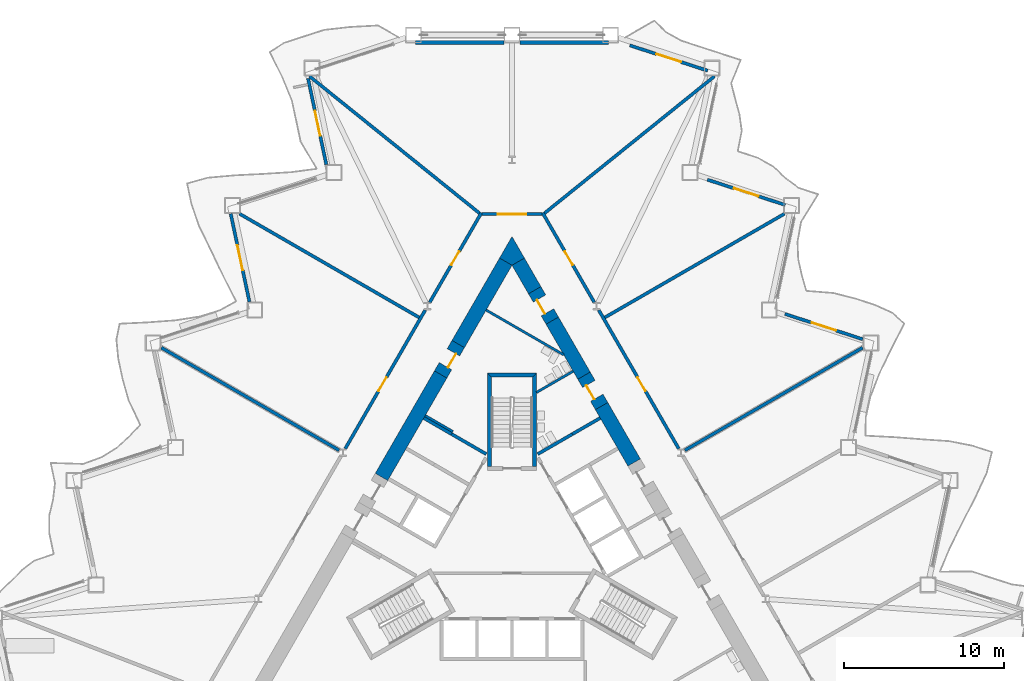
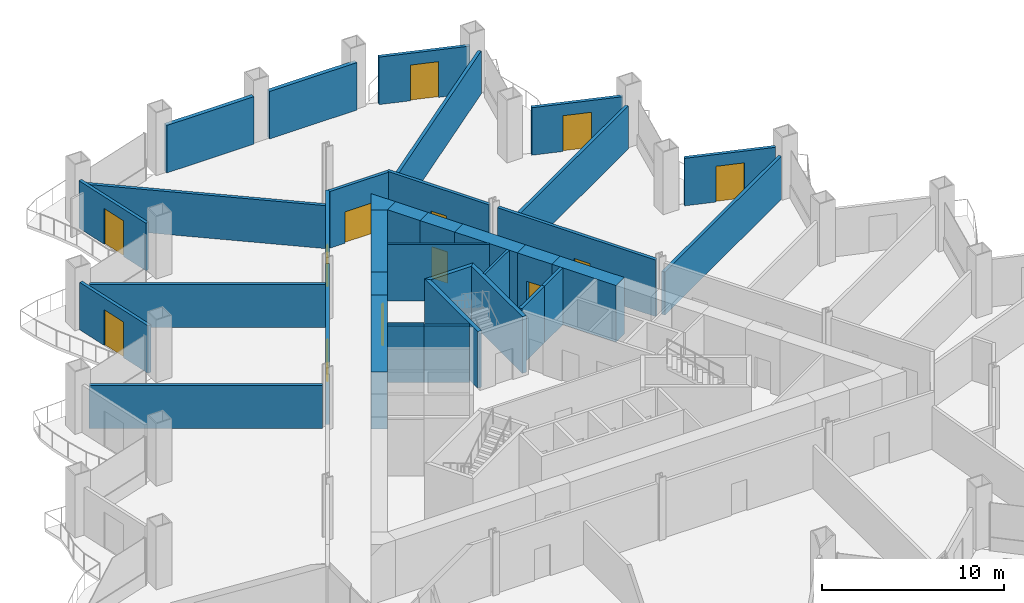
# One storey, part 12 of 21: 37 walls, 13 doors, 13 openings.
"""IFC4 building model written with IfcOpenShell, lengths in metres."""

from ifc_helpers import new_model, si_unit, direction, frame, frame_2d, origin, place, context, subcontext, project, spatial, polyline, rectangle, outline, extrude, material, layer, layer_set, type_object, element, fill, save


model = new_model("IFC4")

# Units and contexts
model_context = context("Model", 3, precision=1e-05, world=origin(), true_north=direction((0.0, 1.0)))
body_context = subcontext(model_context, "Body", "Model", "MODEL_VIEW")
ifc_project = project(units=[si_unit("LENGTHUNIT", "METRE"), si_unit("AREAUNIT", "SQUARE_METRE"), si_unit("VOLUMEUNIT", "CUBIC_METRE"), si_unit("PLANEANGLEUNIT", "RADIAN"), si_unit("MASSUNIT", "GRAM", prefix="KILO")], contexts=[model_context])

# Site, building, storey
site_placement = place(None, origin())
site = spatial("IfcSite", under=ifc_project, at=site_placement, CompositionType="ELEMENT")
building_placement = place(site_placement, origin())
building = spatial("IfcBuilding", under=site, at=building_placement, Name="Cormorant Prow Tower", CompositionType="ELEMENT")
storey_placement = place(building_placement, frame((0.0, 0.0, 51.0)))
storey = spatial("IfcBuildingStorey", under=building, at=storey_placement, Name="L10", CompositionType="ELEMENT", Elevation=51.0)

# Walls
ifc_material_1 = material(Name="Gypsum board partition")
ifc_layer_1 = layer(ifc_material_1, 0.14990234375)
ifc_layer_set_1 = layer_set([ifc_layer_1], Name="Gypsum board partition")
wall_type_1 = type_object("IfcWallType", Name="Core partition 150", PredefinedType="PARTITIONING", material=ifc_layer_set_1)
wall_1_placement = place(storey_placement, frame((-3.693359375, 7.4150390625, 0.0), z_axis=(0.0, 0.0, 1.0), x_axis=(-0.866035824272, 0.499981950752, 0.0)))
element("IfcWall", 1, at=wall_1_placement, inside=storey, type_object=wall_type_1, Name="Service room partition", PredefinedType="PARTITIONING", context=body_context, shape_type="SweptSolid", body=[
    extrude(rectangle(XDim=2.0087890625, YDim=0.14990234375, at=frame_2d((1.00439453125, 0.0))), origin(), (0.0, 0.0, 1.0), 3.800048828125),
])
wall_2_placement = place(storey_placement, frame((3.829345703125, 11.197265625, 0.0), z_axis=(0.0, 0.0, 1.0), x_axis=(-0.866016748302, -0.500014991436, 0.0)))
element("IfcWall", 2, at=wall_2_placement, inside=storey, type_object=wall_type_1, Name="Service room partition", PredefinedType="PARTITIONING", context=body_context, shape_type="SweptSolid", body=[
    extrude(rectangle(XDim=2.64892578125, YDim=0.14990234375, at=frame_2d((1.324462890625, 0.0))), origin(), (0.0, 0.0, 1.0), 3.800048828125),
])
wall_3_placement = place(storey_placement, frame((-1.61865234375, 15.0263671875, 0.0), z_axis=(0.0, 0.0, 1.0), x_axis=(0.866015917575, -0.500016430238, 0.0)))
element("IfcWall", 3, at=wall_3_placement, inside=storey, type_object=wall_type_1, Name="Service room partition", PredefinedType="PARTITIONING", context=body_context, shape_type="SweptSolid", body=[
    extrude(rectangle(XDim=5.607177734375, YDim=0.14990234375, at=frame_2d((2.8037109375, 0.0))), origin(), (0.0, 0.0, 1.0), 3.800048828125),
])
ifc_material_2 = material(Name="Concrete 8000 psi", Category="concrete")
ifc_layer_2 = layer(ifc_material_2, 0.89990234375)
ifc_layer_set_2 = layer_set([ifc_layer_2], Name="Concrete 8000 psi")
wall_type_2 = type_object("IfcWallType", Name="Core shear wall 900", PredefinedType="SHEAR", material=ifc_layer_set_2)
wall_4_placement = place(storey_placement, frame((7.646484375, 5.485595703125, 0.0), z_axis=(0.0, 0.0, 1.0), x_axis=(-0.499978218965, 0.866037978706, 0.0)))
element("IfcWall", 4, at=wall_4_placement, inside=storey, type_object=wall_type_2, Name="Core wall", PredefinedType="SHEAR", context=body_context, shape_type="SweptSolid", body=[
    extrude(rectangle(XDim=4.076416015625, YDim=0.89990234375, at=frame_2d((2.0380859375, 0.0))), origin(), (0.0, 0.0, 1.0), 3.800048828125),
])
wall_5_placement = place(storey_placement, frame((4.508544921875, 10.9208984375, 0.0), z_axis=(0.0, 0.0, 1.0), x_axis=(-0.49999004381, 0.866031151917, 0.0)))
element("IfcWall", 5, at=wall_5_placement, inside=storey, type_object=wall_type_2, Name="Core wall", PredefinedType="SHEAR", context=body_context, shape_type="SweptSolid", body=[
    extrude(rectangle(XDim=3.97509765625, YDim=0.89990234375, at=frame_2d((1.987548828125, 0.0))), origin(), (0.0, 0.0, 1.0), 3.800048828125),
])
wall_6_placement = place(storey_placement, frame((1.4208984375, 16.268798828125, 0.0), z_axis=(0.0, 0.0, 1.0), x_axis=(-0.500009360108, 0.866019999656, 0.0)))
element("IfcWall", 6, at=wall_6_placement, inside=storey, type_object=wall_type_2, Name="Core wall", PredefinedType="SHEAR", context=body_context, shape_type="SweptSolid", body=[
    extrude(rectangle(XDim=2.0625, YDim=0.89990234375, at=frame_2d((1.03125, 0.0))), origin(), (0.0, 0.0, 1.0), 3.800048828125),
])
wall_7_placement = place(storey_placement, frame((-4.465576171875, 10.995361328125, 0.0), z_axis=(0.0, 0.0, 1.0), x_axis=(-0.500012427149, -0.866018228848, 0.0)))
element("IfcWall", 7, at=wall_7_placement, inside=storey, type_object=wall_type_2, Name="Core wall", PredefinedType="SHEAR", context=body_context, shape_type="SweptSolid", body=[
    extrude(rectangle(XDim=7.409423828125, YDim=0.89990234375, at=frame_2d((3.70458984375, 0.0))), origin(), (0.0, 0.0, 1.0), 3.800048828125),
])
wall_8_placement = place(storey_placement, frame((-0.3896484375, 18.054931640625, 0.0), z_axis=(0.0, 0.0, 1.0), x_axis=(-0.499981657175, -0.86603599376, 0.0)))
element("IfcWall", 8, at=wall_8_placement, inside=storey, type_object=wall_type_2, Name="Core wall", PredefinedType="SHEAR", context=body_context, shape_type="SweptSolid", body=[
    extrude(rectangle(XDim=5.951904296875, YDim=0.89990234375, at=frame_2d((2.97607421875, 0.0))), origin(), (0.0, 0.0, 1.0), 3.800048828125),
])
wall_9_placement = place(storey_placement, origin())
element("IfcWall", 9, at=wall_9_placement, inside=storey, type_object=wall_type_2, Name="Core wall corner", PredefinedType="SHEAR", context=body_context, shape_type="SweptSolid", body=[
    extrude(outline(polyline([(-0.779296875, 18.27978515625), (0.0, 19.6298828125), (0.779296875, 18.27978515625), (0.0, 17.829833984375), (-0.779296875, 18.27978515625)])), origin(), (0.0, 0.0, 1.0), 3.800048828125),
])

# Wall, opening, door
wall_10_placement = place(storey_placement, frame((5.6083984375, 9.015869140625, 0.0), z_axis=(0.0, 0.0, 1.0), x_axis=(-0.499994660107, 0.866028486751, 0.0)))
wall_10 = element("IfcWall", 10, at=wall_10_placement, inside=storey, type_object=wall_type_2, Name="Core wall door panel", PredefinedType="SHEAR", context=body_context, shape_type="SweptSolid", body=[
    extrude(rectangle(XDim=2.19970703125, YDim=0.89990234375, at=frame_2d((1.099853515625, 0.0))), origin(), (0.0, 0.0, 1.0), 3.800048828125),
])
opening_1_placement = place(wall_10_placement, frame((0.60009765625, 0.0, 0.0)))
opening_1 = element("IfcOpeningElement", 11, at=opening_1_placement, cuts=wall_10, Name="Opening L10-C21", PredefinedType="OPENING", context=body_context, shape_type="SweptSolid", body=[
    extrude(rectangle(XDim=1.0, YDim=2.10009765625, at=frame_2d((0.5, 1.050048828125))), frame((0.0, 0.4599609375, 0.0), z_axis=(0.0, -1.0, 0.0), x_axis=(1.0, 0.0, 0.0)), (0.0, 0.0, 1.0), 0.919921875),
])
ifc_material_3 = material(Name="Painted steel", Category="steel")
door_type_1 = type_object("IfcDoorType", Name="Service door 1000x2100", OperationType="NOTDEFINED", PredefinedType="DOOR", material=ifc_material_3)
door_1_placement = place(opening_1_placement, origin())
door_1 = element("IfcDoor", 12, at=door_1_placement, inside=storey, type_object=door_type_1, Name="Core door, Toilets (men) L10", OperationType="SINGLE_SWING_RIGHT", OverallHeight=2.10009765625, OverallWidth=1.0, PredefinedType="DOOR", context=body_context, shape_type="SweptSolid", body=[
    extrude(rectangle(XDim=1.0, YDim=2.10009765625, at=frame_2d((0.5, 1.050048828125))), frame((0.0, 0.205078125, 0.0), z_axis=(0.0, -1.0, 0.0), x_axis=(1.0, 0.0, 0.0)), (0.0, 0.0, 1.0), 0.050048828125),
])
fill(opening_1, door_1)

wall_11_placement = place(storey_placement, frame((-3.365478515625, 12.900390625, 0.0), z_axis=(0.0, 0.0, 1.0), x_axis=(-0.500077893725, -0.86598042715, 0.0)))
wall_11 = element("IfcWall", 13, at=wall_11_placement, inside=storey, type_object=wall_type_2, Name="Core wall door panel", PredefinedType="SHEAR", context=body_context, shape_type="SweptSolid", body=[
    extrude(rectangle(XDim=2.199951171875, YDim=0.89990234375, at=frame_2d((1.10009765625, 0.0))), origin(), (0.0, 0.0, 1.0), 3.800048828125),
])
opening_2_placement = place(wall_11_placement, frame((0.60009765625, 0.0, 0.0)))
opening_2 = element("IfcOpeningElement", 14, at=opening_2_placement, cuts=wall_11, Name="Opening L10-C22", PredefinedType="OPENING", context=body_context, shape_type="SweptSolid", body=[
    extrude(rectangle(XDim=1.0, YDim=2.10009765625, at=frame_2d((0.5, 1.050048828125))), frame((0.0, 0.4599609375, 0.0), z_axis=(0.0, -1.0, 0.0), x_axis=(1.0, 0.0, 0.0)), (0.0, 0.0, 1.0), 0.919921875),
])
door_2_placement = place(opening_2_placement, origin())
door_2 = element("IfcDoor", 15, at=door_2_placement, inside=storey, type_object=door_type_1, Name="Core door, Toilets (women) L10", OperationType="SINGLE_SWING_RIGHT", OverallHeight=2.10009765625, OverallWidth=1.0, PredefinedType="DOOR", context=body_context, shape_type="SweptSolid", body=[
    extrude(rectangle(XDim=1.0, YDim=2.10009765625, at=frame_2d((0.5, 1.050048828125))), frame((0.0, 0.205078125, 0.0), z_axis=(0.0, -1.0, 0.0), x_axis=(1.0, 0.0, 0.0)), (0.0, 0.0, 1.0), 0.050048828125),
])
fill(opening_2, door_2)

wall_12_placement = place(storey_placement, frame((2.52099609375, 14.363525390625, 0.0), z_axis=(0.0, 0.0, 1.0), x_axis=(-0.50002983664, 0.866008176907, 0.0)))
wall_12 = element("IfcWall", 16, at=wall_12_placement, inside=storey, type_object=wall_type_2, Name="Core wall door panel", PredefinedType="SHEAR", context=body_context, shape_type="SweptSolid", body=[
    extrude(rectangle(XDim=2.199951171875, YDim=0.89990234375, at=frame_2d((1.10009765625, 0.0))), origin(), (0.0, 0.0, 1.0), 3.800048828125),
])
opening_3_placement = place(wall_12_placement, frame((0.60009765625, 0.0, 0.0)))
opening_3 = element("IfcOpeningElement", 17, at=opening_3_placement, cuts=wall_12, Name="Opening L10-C23", PredefinedType="OPENING", context=body_context, shape_type="SweptSolid", body=[
    extrude(rectangle(XDim=1.0, YDim=2.10009765625, at=frame_2d((0.5, 1.050048828125))), frame((0.0, 0.4599609375, 0.0), z_axis=(0.0, -1.0, 0.0), x_axis=(1.0, 0.0, 0.0)), (0.0, 0.0, 1.0), 0.919921875),
])
door_3_placement = place(opening_3_placement, origin())
door_3 = element("IfcDoor", 18, at=door_3_placement, inside=storey, type_object=door_type_1, Name="Core door, Telecom room", OperationType="SINGLE_SWING_RIGHT", OverallHeight=2.10009765625, OverallWidth=1.0, PredefinedType="DOOR", context=body_context, shape_type="SweptSolid", body=[
    extrude(rectangle(XDim=1.0, YDim=2.10009765625, at=frame_2d((0.5, 1.050048828125))), frame((0.0, 0.205078125, 0.0), z_axis=(0.0, -1.0, 0.0), x_axis=(1.0, 0.0, 0.0)), (0.0, 0.0, 1.0), 0.050048828125),
])
fill(opening_3, door_3)

ifc_material_4 = material(Name="Gypsum board corridor wall")
ifc_layer_3 = layer(ifc_material_4, 0.199951171875)
ifc_layer_set_3 = layer_set([ifc_layer_3], Name="Gypsum board corridor wall")
wall_type_3 = type_object("IfcWallType", Name="Corridor wall 200", PredefinedType="PARTITIONING", material=ifc_layer_set_3)
wall_13_placement = place(storey_placement, frame((-10.438720703125, 6.349853515625, 0.0), z_axis=(0.0, 0.0, 1.0), x_axis=(0.50001002959, 0.86601961312, 0.0)))
wall_13 = element("IfcWall", 19, at=wall_13_placement, inside=storey, type_object=wall_type_3, Name="Corridor wall", PredefinedType="PARTITIONING", context=body_context, shape_type="SweptSolid", body=[
    extrude(rectangle(XDim=10.018798828125, YDim=0.199951171875, at=frame_2d((5.00927734375, 0.0))), origin(), (0.0, 0.0, 1.0), 3.800048828125),
])
opening_4_placement = place(wall_13_placement, frame((4.15869140625, 0.0, 0.0)))
opening_4 = element("IfcOpeningElement", 20, at=opening_4_placement, cuts=wall_13, Name="Opening L10-F15", PredefinedType="OPENING", context=body_context, shape_type="SweptSolid", body=[
    extrude(rectangle(XDim=1.0, YDim=2.10009765625, at=frame_2d((0.5, 1.050048828125))), frame((0.0, 0.10986328125, 0.0), z_axis=(0.0, -1.0, 0.0), x_axis=(1.0, 0.0, 0.0)), (0.0, 0.0, 1.0), 0.219970703125),
])
ifc_material_5 = material(Name="Timber door leaf", Category="wood")
door_type_2 = type_object("IfcDoorType", Name="Office door 1000x2100", OperationType="NOTDEFINED", PredefinedType="DOOR", material=ifc_material_5)
door_4_placement = place(opening_4_placement, origin())
door_4 = element("IfcDoor", 21, at=door_4_placement, inside=storey, type_object=door_type_2, Name="Tenant suite door", OperationType="SINGLE_SWING_LEFT", OverallHeight=2.10009765625, OverallWidth=1.0, PredefinedType="DOOR", context=body_context, shape_type="SweptSolid", body=[
    extrude(rectangle(XDim=1.0, YDim=2.10009765625, at=frame_2d((0.5, 1.050048828125))), frame((0.0, 0.02490234375, 0.0), z_axis=(0.0, -1.0, 0.0), x_axis=(1.0, 0.0, 0.0)), (0.0, 0.0, 1.0), 0.050048828125),
])
fill(opening_4, door_4)

wall_14_placement = place(storey_placement, frame((5.42919921875, 15.0263671875, 0.0), z_axis=(0.0, 0.0, 1.0), x_axis=(0.50001002959, -0.86601961312, 0.0)))
wall_14 = element("IfcWall", 22, at=wall_14_placement, inside=storey, type_object=wall_type_3, Name="Corridor wall", PredefinedType="PARTITIONING", context=body_context, shape_type="SweptSolid", body=[
    extrude(rectangle(XDim=10.018798828125, YDim=0.199951171875, at=frame_2d((5.00927734375, 0.0))), origin(), (0.0, 0.0, 1.0), 3.800048828125),
])
opening_5_placement = place(wall_14_placement, frame((4.860107421875, 0.0, 0.0)))
opening_5 = element("IfcOpeningElement", 23, at=opening_5_placement, cuts=wall_14, Name="Opening L10-F11", PredefinedType="OPENING", context=body_context, shape_type="SweptSolid", body=[
    extrude(rectangle(XDim=1.0, YDim=2.10009765625, at=frame_2d((0.5, 1.050048828125))), frame((0.0, 0.10986328125, 0.0), z_axis=(0.0, -1.0, 0.0), x_axis=(1.0, 0.0, 0.0)), (0.0, 0.0, 1.0), 0.219970703125),
])
door_5_placement = place(opening_5_placement, origin())
door_5 = element("IfcDoor", 24, at=door_5_placement, inside=storey, type_object=door_type_2, Name="Co-working room door", OperationType="SINGLE_SWING_RIGHT", OverallHeight=2.10009765625, OverallWidth=1.0, PredefinedType="DOOR", context=body_context, shape_type="SweptSolid", body=[
    extrude(rectangle(XDim=1.0, YDim=2.10009765625, at=frame_2d((0.5, 1.050048828125))), frame((0.0, 0.02490234375, 0.0), z_axis=(0.0, -1.0, 0.0), x_axis=(1.0, 0.0, 0.0)), (0.0, 0.0, 1.0), 0.050048828125),
])
fill(opening_5, door_5)

wall_15_placement = place(storey_placement, frame((1.9130859375, 21.116455078125, 0.0), z_axis=(0.0, 0.0, 1.0), x_axis=(0.500001069878, -0.866024786089, 0.0)))
wall_15 = element("IfcWall", 25, at=wall_15_placement, inside=storey, type_object=wall_type_3, Name="Corridor wall", PredefinedType="PARTITIONING", context=body_context, shape_type="SweptSolid", body=[
    extrude(rectangle(XDim=6.47265625, YDim=0.199951171875, at=frame_2d((3.236328125, 0.0))), origin(), (0.0, 0.0, 1.0), 3.800048828125),
])
opening_6_placement = place(wall_15_placement, frame((2.787109375, 0.0, 0.0)))
opening_6 = element("IfcOpeningElement", 26, at=opening_6_placement, cuts=wall_15, Name="Opening L10-F12", PredefinedType="OPENING", context=body_context, shape_type="SweptSolid", body=[
    extrude(rectangle(XDim=1.0, YDim=2.10009765625, at=frame_2d((0.5, 1.050048828125))), frame((0.0, 0.10986328125, 0.0), z_axis=(0.0, -1.0, 0.0), x_axis=(1.0, 0.0, 0.0)), (0.0, 0.0, 1.0), 0.219970703125),
])
door_6_placement = place(opening_6_placement, origin())
door_6 = element("IfcDoor", 27, at=door_6_placement, inside=storey, type_object=door_type_2, Name="Tenant suite door", OperationType="SINGLE_SWING_RIGHT", OverallHeight=2.10009765625, OverallWidth=1.0, PredefinedType="DOOR", context=body_context, shape_type="SweptSolid", body=[
    extrude(rectangle(XDim=1.0, YDim=2.10009765625, at=frame_2d((0.5, 1.050048828125))), frame((0.0, 0.02490234375, 0.0), z_axis=(0.0, -1.0, 0.0), x_axis=(1.0, 0.0, 0.0)), (0.0, 0.0, 1.0), 0.050048828125),
])
fill(opening_6, door_6)

wall_16_placement = place(storey_placement, frame((-5.1494140625, 15.510986328125, 0.0), z_axis=(0.0, 0.0, 1.0), x_axis=(0.500001069878, 0.866024786089, 0.0)))
wall_16 = element("IfcWall", 28, at=wall_16_placement, inside=storey, type_object=wall_type_3, Name="Corridor wall", PredefinedType="PARTITIONING", context=body_context, shape_type="SweptSolid", body=[
    extrude(rectangle(XDim=6.47265625, YDim=0.199951171875, at=frame_2d((3.236328125, 0.0))), origin(), (0.0, 0.0, 1.0), 3.800048828125),
])
opening_7_placement = place(wall_16_placement, frame((2.685546875, 0.0, 0.0)))
opening_7 = element("IfcOpeningElement", 29, at=opening_7_placement, cuts=wall_16, Name="Opening L10-F14", PredefinedType="OPENING", context=body_context, shape_type="SweptSolid", body=[
    extrude(rectangle(XDim=1.0, YDim=2.10009765625, at=frame_2d((0.5, 1.050048828125))), frame((0.0, 0.10986328125, 0.0), z_axis=(0.0, -1.0, 0.0), x_axis=(1.0, 0.0, 0.0)), (0.0, 0.0, 1.0), 0.219970703125),
])
door_7_placement = place(opening_7_placement, origin())
door_7 = element("IfcDoor", 30, at=door_7_placement, inside=storey, type_object=door_type_2, Name="Open-plan office door", OperationType="SINGLE_SWING_LEFT", OverallHeight=2.10009765625, OverallWidth=1.0, PredefinedType="DOOR", context=body_context, shape_type="SweptSolid", body=[
    extrude(rectangle(XDim=1.0, YDim=2.10009765625, at=frame_2d((0.5, 1.050048828125))), frame((0.0, 0.02490234375, 0.0), z_axis=(0.0, -1.0, 0.0), x_axis=(1.0, 0.0, 0.0)), (0.0, 0.0, 1.0), 0.050048828125),
])
fill(opening_7, door_7)

wall_17_placement = place(storey_placement, frame((-1.863037109375, 21.02978515625, 0.0), z_axis=(0.0, 0.0, 1.0), x_axis=(1.0, 0.0, 0.0)))
wall_17 = element("IfcWall", 31, at=wall_17_placement, inside=storey, type_object=wall_type_3, Name="Corridor wall", PredefinedType="PARTITIONING", context=body_context, shape_type="SweptSolid", body=[
    extrude(rectangle(XDim=3.72607421875, YDim=0.199951171875, at=frame_2d((1.863037109375, 0.0))), origin(), (0.0, 0.0, 1.0), 3.800048828125),
])
opening_8_placement = place(wall_17_placement, frame((0.962890625, 0.0, 0.0)))
opening_8 = element("IfcOpeningElement", 32, at=opening_8_placement, cuts=wall_17, Name="Opening L10-F13", PredefinedType="OPENING", context=body_context, shape_type="SweptSolid", body=[
    extrude(rectangle(XDim=1.800048828125, YDim=2.10009765625, at=frame_2d((0.89990234375, 1.050048828125))), frame((0.0, 0.10986328125, 0.0), z_axis=(0.0, -1.0, 0.0), x_axis=(1.0, 0.0, 0.0)), (0.0, 0.0, 1.0), 0.219970703125),
])
ifc_material_6 = material(Name="Timber door leaf", Category="wood")
door_type_3 = type_object("IfcDoorType", Name="Double door 1800x2100", OperationType="DOUBLE_DOOR_SINGLE_SWING", PredefinedType="DOOR", material=ifc_material_6)
door_8_placement = place(opening_8_placement, origin())
door_8 = element("IfcDoor", 33, at=door_8_placement, inside=storey, type_object=door_type_3, Name="Open-plan office door", OperationType="DOUBLE_DOOR_SINGLE_SWING", OverallHeight=2.10009765625, OverallWidth=1.800048828125, PredefinedType="DOOR", context=body_context, shape_type="SweptSolid", body=[
    extrude(rectangle(XDim=1.800048828125, YDim=2.10009765625, at=frame_2d((0.89990234375, 1.050048828125))), frame((0.0, 0.02490234375, 0.0), z_axis=(0.0, -1.0, 0.0), x_axis=(1.0, 0.0, 0.0)), (0.0, 0.0, 1.0), 0.050048828125),
])
fill(opening_8, door_8)

# Walls
ifc_material_7 = material(Name="Gypsum board demising wall")
ifc_layer_4 = layer(ifc_material_7, 0.199951171875)
ifc_layer_set_4 = layer_set([ifc_layer_4], Name="Gypsum board demising wall")
wall_type_4 = type_object("IfcWallType", Name="Demising wall 200", PredefinedType="PARTITIONING", material=ifc_layer_set_4)
for number, where, z_axis, x_axis, name in (
    (34, (2.041015625, 21.092529296875, 0.0), (0.0, 0.0, 1.0), (0.778730857737, 0.627358152261, 0.0), "Demising wall"),
    (35, (-12.674072265625, 29.65869140625, 0.0), (0.0, 0.0, 1.0), (0.778730857737, -0.627358152261, 0.0), "Demising wall"),
):
    element("IfcWall", number, at=place(storey_placement, frame(where, z_axis=z_axis, x_axis=x_axis)), inside=storey, type_object=wall_type_4, Name=name, PredefinedType="PARTITIONING", context=body_context, shape_type="SweptSolid", body=[
        extrude(rectangle(XDim=13.654296875, YDim=0.199951171875, at=frame_2d((6.8271484375, 0.0))), origin(), (0.0, 0.0, 1.0), 2.88525390625),
    ])
for number, where, z_axis, x_axis, name in (
    (36, (5.8125, 14.5625, 0.0), (0.0, 0.0, 1.0), (0.866020631549, 0.500008265664, 0.0), "Demising wall"),
    (37, (-17.061279296875, 21.05712890625, 0.0), (0.0, 0.0, 1.0), (0.866020631549, -0.500008265664, 0.0), "Demising wall"),
):
    element("IfcWall", number, at=place(storey_placement, frame(where, z_axis=z_axis, x_axis=x_axis)), inside=storey, type_object=wall_type_4, Name=name, PredefinedType="PARTITIONING", context=body_context, shape_type="SweptSolid", body=[
        extrude(rectangle(XDim=12.989013671875, YDim=0.199951171875, at=frame_2d((6.49462890625, 0.0))), origin(), (0.0, 0.0, 1.0), 2.88525390625),
    ])
for number, where, z_axis, x_axis, name in (
    (38, (10.82080078125, 6.247314453125, 0.0), (0.0, 0.0, 1.0), (0.866026729935, 0.499997703033, 0.0), "Demising wall"),
    (39, (-21.947265625, 12.671142578125, 0.0), (0.0, 0.0, 1.0), (0.866026729935, -0.499997703033, 0.0), "Demising wall"),
):
    element("IfcWall", number, at=place(storey_placement, frame(where, z_axis=z_axis, x_axis=x_axis)), inside=storey, type_object=wall_type_4, Name=name, PredefinedType="PARTITIONING", context=body_context, shape_type="SweptSolid", body=[
        extrude(rectangle(XDim=12.84765625, YDim=0.199951171875, at=frame_2d((6.423828125, 0.0))), origin(), (0.0, 0.0, 1.0), 2.88525390625),
    ])
ifc_material_8 = material(Name="Concrete 8000 psi", Category="concrete")
ifc_layer_5 = layer(ifc_material_8, 0.199951171875)
ifc_layer_set_5 = layer_set([ifc_layer_5], Name="Concrete 8000 psi")
wall_type_5 = type_object("IfcWallType", Name="Lift shaft wall 200", PredefinedType="SHEAR", material=ifc_layer_set_5)
wall_18_placement = place(storey_placement, origin())
element("IfcWall", 40, at=wall_18_placement, inside=storey, type_object=wall_type_5, Name="Lift shaft walls, ENE block", PredefinedType="SHEAR", context=body_context, shape_type="SweptSolid", body=[
    extrude(outline(polyline([(1.560546875, 6.09716796875), (3.730712890625, 7.35009765625), (3.830810546875, 7.177001953125), (1.660400390625, 5.923828125), (1.560546875, 6.09716796875)])), origin(), (0.0, 0.0, 1.0), 3.800048828125),
])
wall_19_placement = place(storey_placement, frame((3.78076171875, 7.263427734375, 0.0), z_axis=(0.0, 0.0, 1.0), x_axis=(0.865983199114, 0.50007309351, 0.0)))
element("IfcWall", 41, at=wall_19_placement, inside=storey, type_object=wall_type_5, Name="Store side wall", PredefinedType="SHEAR", context=body_context, shape_type="SweptSolid", body=[
    extrude(rectangle(XDim=2.009033203125, YDim=0.199951171875, at=frame_2d((1.00439453125, 0.0))), origin(), (0.0, 0.0, 1.0), 3.800048828125),
])
wall_20_placement = place(storey_placement, origin())
element("IfcWall", 42, at=wall_20_placement, inside=storey, type_object=wall_type_5, Name="Lift shaft walls, WNW block", PredefinedType="SHEAR", context=body_context, shape_type="SweptSolid", body=[
    extrude(outline(polyline([(-3.730712890625, 7.35009765625), (-1.560546875, 6.09716796875), (-1.660400390625, 5.923828125), (-3.830810546875, 7.177001953125), (-3.730712890625, 7.35009765625)])), origin(), (0.0, 0.0, 1.0), 3.800048828125),
])
wall_21_placement = place(storey_placement, frame((-3.78076171875, 7.263427734375, 0.0), z_axis=(0.0, 0.0, 1.0), x_axis=(-0.865983199114, 0.50007309351, 0.0)))
element("IfcWall", 43, at=wall_21_placement, inside=storey, type_object=wall_type_5, Name="Store side wall", PredefinedType="SHEAR", context=body_context, shape_type="SweptSolid", body=[
    extrude(rectangle(XDim=2.009033203125, YDim=0.199951171875, at=frame_2d((1.00439453125, 0.0))), origin(), (0.0, 0.0, 1.0), 3.800048828125),
])
ifc_material_9 = material(Name="Concrete 8000 psi", Category="concrete")
ifc_layer_6 = layer(ifc_material_9, 0.25)
ifc_layer_set_6 = layer_set([ifc_layer_6], Name="Concrete 8000 psi")
wall_type_6 = type_object("IfcWallType", Name="Stair wall 250", PredefinedType="SHEAR", material=ifc_layer_set_6)
wall_22_placement = place(storey_placement, origin())
element("IfcWall", 44, at=wall_22_placement, inside=storey, type_object=wall_type_6, Name="Stair ST3 enclosure wall (flank)", PredefinedType="SHEAR", context=body_context, shape_type="SweptSolid", body=[
    extrude(outline(polyline([(1.5439453125, 5.23681640625), (1.5439453125, 11.0869140625), (1.2939453125, 10.8369140625), (1.2939453125, 5.23681640625), (1.5439453125, 5.23681640625)])), origin(), (0.0, 0.0, 1.0), 3.800048828125),
])
wall_23_placement = place(storey_placement, origin())
element("IfcWall", 45, at=wall_23_placement, inside=storey, type_object=wall_type_6, Name="Stair ST3 enclosure wall (end)", PredefinedType="SHEAR", context=body_context, shape_type="SweptSolid", body=[
    extrude(outline(polyline([(1.5439453125, 11.0869140625), (-1.5439453125, 11.0869140625), (-1.2939453125, 10.8369140625), (1.2939453125, 10.8369140625), (1.5439453125, 11.0869140625)])), origin(), (0.0, 0.0, 1.0), 3.800048828125),
])
wall_24_placement = place(storey_placement, origin())
element("IfcWall", 46, at=wall_24_placement, inside=storey, type_object=wall_type_6, Name="Stair ST3 enclosure wall (flank)", PredefinedType="SHEAR", context=body_context, shape_type="SweptSolid", body=[
    extrude(outline(polyline([(-1.2939453125, 10.8369140625), (-1.5439453125, 11.0869140625), (-1.5439453125, 5.23681640625), (-1.2939453125, 5.23681640625), (-1.2939453125, 10.8369140625)])), origin(), (0.0, 0.0, 1.0), 3.800048828125),
])
ifc_material_10 = material(Name="Terracotta", Category="masonry")
ifc_layer_7 = layer(ifc_material_10, 0.25)
ifc_layer_set_7 = layer_set([ifc_layer_7], Name="Terracotta")
wall_type_7 = type_object("IfcWallType", Name="Terracotta bay wall 250", PredefinedType="SOLIDWALL", material=ifc_layer_set_7)
for number, where, z_axis, x_axis, name in (
    (47, (6.03369140625, 31.78125, 0.0), (0.0, 0.0, 1.0), (-1.0, 0.0, 0.0), "Terracotta bay wall N00"),
    (48, (-0.5, 31.78125, 0.0), (0.0, 0.0, 1.0), (-1.0, 0.0, 0.0), "Terracotta bay wall N01"),
):
    element("IfcWall", number, at=place(storey_placement, frame(where, z_axis=z_axis, x_axis=x_axis)), inside=storey, type_object=wall_type_7, Name=name, PredefinedType="SOLIDWALL", context=body_context, shape_type="SweptSolid", body=[
        extrude(rectangle(XDim=5.53369140625, YDim=0.25, at=frame_2d((2.766845703125, 0.0))), origin(), (0.0, 0.0, 1.0), 3.18896484375),
    ])

# Wall, opening, door
ifc_material_11 = material(Name="Terracotta", Category="masonry")
ifc_layer_8 = layer(ifc_material_11, 0.199951171875)
ifc_layer_set_8 = layer_set([ifc_layer_8], Name="Terracotta")
wall_type_8 = type_object("IfcWallType", Name="Terracotta jamb wall 200", PredefinedType="SOLIDWALL", material=ifc_layer_set_8)
wall_25_placement = place(storey_placement, frame((21.952880859375, 13.200439453125, 0.0), z_axis=(0.0, 0.0, 1.0), x_axis=(-0.951052624268, 0.309028972547, 0.0)))
wall_25 = element("IfcWall", 49, at=wall_25_placement, inside=storey, type_object=wall_type_8, Name="Terracotta jamb wall ENE05", PredefinedType="SOLIDWALL", context=body_context, shape_type="SweptSolid", body=[
    extrude(rectangle(XDim=5.1240234375, YDim=0.199951171875, at=frame_2d((2.56201171875, 0.0))), origin(), (0.0, 0.0, 1.0), 3.18896484375),
])
opening_9_placement = place(wall_25_placement, frame((1.761962890625, 0.0, 0.0)))
opening_9 = element("IfcOpeningElement", 50, at=opening_9_placement, cuts=wall_25, Name="Opening ED10.08", PredefinedType="OPENING", context=body_context, shape_type="SweptSolid", body=[
    extrude(rectangle(XDim=1.60009765625, YDim=2.39990234375, at=frame_2d((0.800048828125, 1.199951171875))), frame((0.0, 0.10986328125, 0.0), z_axis=(0.0, -1.0, 0.0), x_axis=(1.0, 0.0, 0.0)), (0.0, 0.0, 1.0), 0.219970703125),
])
ifc_material_12 = material(Name="Aluminium 6063-T6", Category="aluminium")
door_type_4 = type_object("IfcDoorType", Name="Balcony door 1600x2400", OperationType="DOUBLE_DOOR_SINGLE_SWING", PredefinedType="DOOR", material=ifc_material_12)
door_9_placement = place(opening_9_placement, origin())
door_9 = element("IfcDoor", 51, at=door_9_placement, inside=storey, type_object=door_type_4, Name="Balcony door ENE05 ED10.08", OperationType="DOUBLE_DOOR_SINGLE_SWING", OverallHeight=2.39990234375, OverallWidth=1.60009765625, PredefinedType="DOOR", context=body_context, shape_type="SweptSolid", body=[
    extrude(rectangle(XDim=1.60009765625, YDim=2.39990234375, at=frame_2d((0.800048828125, 1.199951171875))), frame((0.0, 0.02490234375, 0.0), z_axis=(0.0, -1.0, 0.0), x_axis=(1.0, 0.0, 0.0)), (0.0, 0.0, 1.0), 0.050048828125),
])
fill(opening_9, door_9)

wall_26_placement = place(storey_placement, frame((17.10009765625, 21.60546875, 0.0), z_axis=(0.0, 0.0, 1.0), x_axis=(-0.951048073862, 0.309042976306, 0.0)))
wall_26 = element("IfcWall", 52, at=wall_26_placement, inside=storey, type_object=wall_type_8, Name="Terracotta jamb wall ENE07", PredefinedType="SOLIDWALL", context=body_context, shape_type="SweptSolid", body=[
    extrude(rectangle(XDim=5.123779296875, YDim=0.199951171875, at=frame_2d((2.56201171875, 0.0))), origin(), (0.0, 0.0, 1.0), 3.18896484375),
])
opening_10_placement = place(wall_26_placement, frame((1.761962890625, 0.0, 0.0)))
opening_10 = element("IfcOpeningElement", 53, at=opening_10_placement, cuts=wall_26, Name="Opening ED10.09", PredefinedType="OPENING", context=body_context, shape_type="SweptSolid", body=[
    extrude(rectangle(XDim=1.60009765625, YDim=2.39990234375, at=frame_2d((0.800048828125, 1.199951171875))), frame((0.0, 0.10986328125, 0.0), z_axis=(0.0, -1.0, 0.0), x_axis=(1.0, 0.0, 0.0)), (0.0, 0.0, 1.0), 0.219970703125),
])
door_10_placement = place(opening_10_placement, origin())
door_10 = element("IfcDoor", 54, at=door_10_placement, inside=storey, type_object=door_type_4, Name="Balcony door ENE07 ED10.09", OperationType="DOUBLE_DOOR_SINGLE_SWING", OverallHeight=2.39990234375, OverallWidth=1.60009765625, PredefinedType="DOOR", context=body_context, shape_type="SweptSolid", body=[
    extrude(rectangle(XDim=1.60009765625, YDim=2.39990234375, at=frame_2d((0.800048828125, 1.199951171875))), frame((0.0, 0.02490234375, 0.0), z_axis=(0.0, -1.0, 0.0), x_axis=(1.0, 0.0, 0.0)), (0.0, 0.0, 1.0), 0.050048828125),
])
fill(opening_10, door_10)

wall_27_placement = place(storey_placement, frame((12.24755859375, 30.010498046875, 0.0), z_axis=(0.0, 0.0, 1.0), x_axis=(-0.951052624268, 0.309028972547, 0.0)))
wall_27 = element("IfcWall", 55, at=wall_27_placement, inside=storey, type_object=wall_type_8, Name="Terracotta jamb wall ENE09", PredefinedType="SOLIDWALL", context=body_context, shape_type="SweptSolid", body=[
    extrude(rectangle(XDim=5.1240234375, YDim=0.199951171875, at=frame_2d((2.56201171875, 0.0))), origin(), (0.0, 0.0, 1.0), 3.18896484375),
])
opening_11_placement = place(wall_27_placement, frame((1.761962890625, 0.0, 0.0)))
opening_11 = element("IfcOpeningElement", 56, at=opening_11_placement, cuts=wall_27, Name="Opening ED10.10", PredefinedType="OPENING", context=body_context, shape_type="SweptSolid", body=[
    extrude(rectangle(XDim=1.60009765625, YDim=2.39990234375, at=frame_2d((0.800048828125, 1.199951171875))), frame((0.0, 0.10986328125, 0.0), z_axis=(0.0, -1.0, 0.0), x_axis=(1.0, 0.0, 0.0)), (0.0, 0.0, 1.0), 0.219970703125),
])
door_11_placement = place(opening_11_placement, origin())
door_11 = element("IfcDoor", 57, at=door_11_placement, inside=storey, type_object=door_type_4, Name="Balcony door ENE09 ED10.10", OperationType="DOUBLE_DOOR_SINGLE_SWING", OverallHeight=2.39990234375, OverallWidth=1.60009765625, PredefinedType="DOOR", context=body_context, shape_type="SweptSolid", body=[
    extrude(rectangle(XDim=1.60009765625, YDim=2.39990234375, at=frame_2d((0.800048828125, 1.199951171875))), frame((0.0, 0.02490234375, 0.0), z_axis=(0.0, -1.0, 0.0), x_axis=(1.0, 0.0, 0.0)), (0.0, 0.0, 1.0), 0.050048828125),
])
fill(opening_11, door_11)

wall_28_placement = place(storey_placement, frame((-12.767822265625, 29.526123046875, 0.0), z_axis=(0.0, 0.0, 1.0), x_axis=(0.207902173992, -0.978149623549, 0.0)))
wall_28 = element("IfcWall", 58, at=wall_28_placement, inside=storey, type_object=wall_type_8, Name="Terracotta jamb wall WNW01", PredefinedType="SOLIDWALL", context=body_context, shape_type="SweptSolid", body=[
    extrude(rectangle(XDim=5.5146484375, YDim=0.199951171875, at=frame_2d((2.75732421875, 0.0))), origin(), (0.0, 0.0, 1.0), 3.18896484375),
])
opening_12_placement = place(wall_28_placement, frame((2.0732421875, 0.0, 0.0)))
opening_12 = element("IfcOpeningElement", 59, at=opening_12_placement, cuts=wall_28, Name="Opening ED10.11", PredefinedType="OPENING", context=body_context, shape_type="SweptSolid", body=[
    extrude(rectangle(XDim=1.60009765625, YDim=2.39990234375, at=frame_2d((0.800048828125, 1.199951171875))), frame((0.0, 0.10986328125, 0.0), z_axis=(0.0, -1.0, 0.0), x_axis=(1.0, 0.0, 0.0)), (0.0, 0.0, 1.0), 0.219970703125),
])
door_12_placement = place(opening_12_placement, origin())
door_12 = element("IfcDoor", 60, at=door_12_placement, inside=storey, type_object=door_type_4, Name="Balcony door WNW01 ED10.11", OperationType="DOUBLE_DOOR_SINGLE_SWING", OverallHeight=2.39990234375, OverallWidth=1.60009765625, PredefinedType="DOOR", context=body_context, shape_type="SweptSolid", body=[
    extrude(rectangle(XDim=1.60009765625, YDim=2.39990234375, at=frame_2d((0.800048828125, 1.199951171875))), frame((0.0, 0.02490234375, 0.0), z_axis=(0.0, -1.0, 0.0), x_axis=(1.0, 0.0, 0.0)), (0.0, 0.0, 1.0), 0.050048828125),
])
fill(opening_12, door_12)

wall_29_placement = place(storey_placement, frame((-17.60546875, 21.050537109375, 0.0), z_axis=(0.0, 0.0, 1.0), x_axis=(0.207901831982, -0.978149696242, 0.0)))
wall_29 = element("IfcWall", 61, at=wall_29_placement, inside=storey, type_object=wall_type_8, Name="Terracotta jamb wall WNW03", PredefinedType="SOLIDWALL", context=body_context, shape_type="SweptSolid", body=[
    extrude(rectangle(XDim=5.626220703125, YDim=0.199951171875, at=frame_2d((2.81298828125, 0.0))), origin(), (0.0, 0.0, 1.0), 3.18896484375),
])
opening_13_placement = place(wall_29_placement, frame((2.001220703125, 0.0, 0.0)))
opening_13 = element("IfcOpeningElement", 62, at=opening_13_placement, cuts=wall_29, Name="Opening ED10.12", PredefinedType="OPENING", context=body_context, shape_type="SweptSolid", body=[
    extrude(rectangle(XDim=1.60009765625, YDim=2.39990234375, at=frame_2d((0.800048828125, 1.199951171875))), frame((0.0, 0.10986328125, 0.0), z_axis=(0.0, -1.0, 0.0), x_axis=(1.0, 0.0, 0.0)), (0.0, 0.0, 1.0), 0.219970703125),
])
door_13_placement = place(opening_13_placement, origin())
door_13 = element("IfcDoor", 63, at=door_13_placement, inside=storey, type_object=door_type_4, Name="Balcony door WNW03 ED10.12", OperationType="DOUBLE_DOOR_SINGLE_SWING", OverallHeight=2.39990234375, OverallWidth=1.60009765625, PredefinedType="DOOR", context=body_context, shape_type="SweptSolid", body=[
    extrude(rectangle(XDim=1.60009765625, YDim=2.39990234375, at=frame_2d((0.800048828125, 1.199951171875))), frame((0.0, 0.02490234375, 0.0), z_axis=(0.0, -1.0, 0.0), x_axis=(1.0, 0.0, 0.0)), (0.0, 0.0, 1.0), 0.050048828125),
])
fill(opening_13, door_13)

save(model, "model.ifc")
